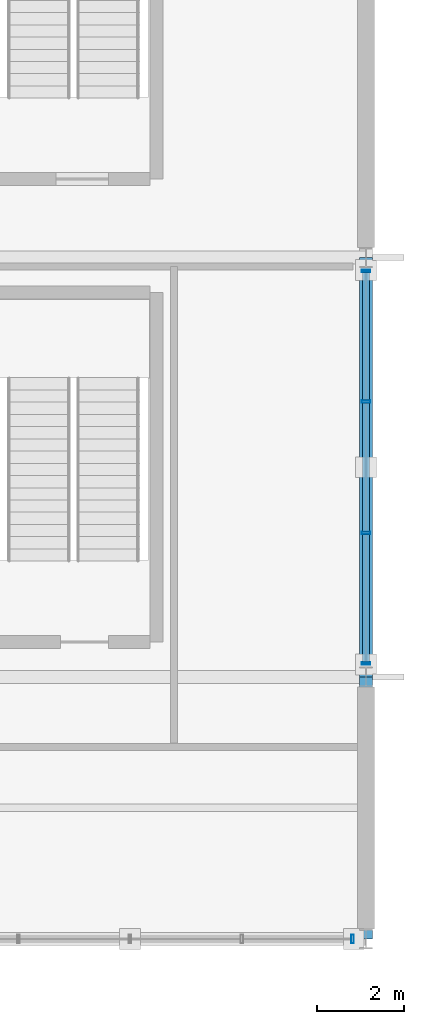
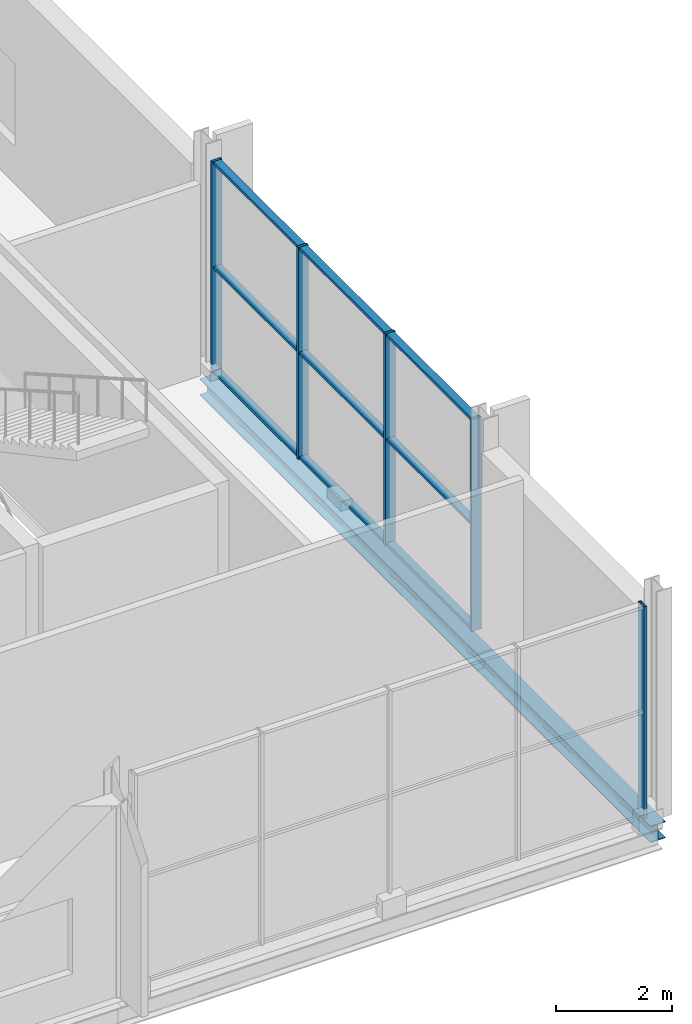
# One storey, part 116 of 159: 14 members, 2 beams, 2 elements without a shape of their own.
"""IFC4 building model written with IfcOpenShell, lengths in metres."""

from ifc_helpers import new_model, si_unit, direction, frame, origin, origin_2d, place, context, subcontext, project, spatial, hollow_rectangle, i_section, extrude, material, material_profile, profile_set, type_object, element, aggregate, save


model = new_model("IFC4")

# Units and contexts
model_context = context("Model", 3, precision=1e-05, world=origin(), true_north=direction((0.0, 1.0)))
body_context = subcontext(model_context, "Body", "Model", "MODEL_VIEW")
ifc_project = project(units=[si_unit("LENGTHUNIT", "METRE"), si_unit("AREAUNIT", "SQUARE_METRE"), si_unit("VOLUMEUNIT", "CUBIC_METRE"), si_unit("PLANEANGLEUNIT", "RADIAN"), si_unit("MASSUNIT", "GRAM", prefix="KILO")], contexts=[model_context])

# Site, building, storey
site_placement = place(None, origin())
site = spatial("IfcSite", under=ifc_project, at=site_placement, CompositionType="ELEMENT")
building_placement = place(site_placement, origin())
building = spatial("IfcBuilding", under=site, at=building_placement, Name="Merenkruunu Market Hall", CompositionType="ELEMENT")
storey_placement = place(building_placement, frame((0.0, 0.0, 5.39990234375)))
storey = spatial("IfcBuildingStorey", under=building, at=storey_placement, Name="L01", CompositionType="ELEMENT", Elevation=5.39990234375)

# Curtain wall, member
ifc_material_1 = material(Name="Powder-coated aluminium", Category="aluminium")
curtain_wall_type = type_object("IfcCurtainWallType", Name="Glazed Curtain Wall CW07", PredefinedType="USERDEFINED", material=ifc_material_1)
curtain_wall_1_placement = place(storey_placement, origin())
curtain_wall_1 = element("IfcCurtainWall", 1, at=curtain_wall_1_placement, inside=storey, type_object=curtain_wall_type, Name="CW-L01-CWM03-208", ObjectType="GLAZED_FACADE", PredefinedType="USERDEFINED")
ifc_material_profile_1 = material_profile(ifc_material_1, hollow_rectangle(XDim=0.06005859375, YDim=0.199951171875, WallThickness=0.0048828125, at=origin_2d()), Name="ALU 60x200x5")
ifc_profile_set_1 = profile_set([ifc_material_profile_1], Name="Powder-coated aluminium")
member_type_1 = type_object("IfcMemberType", Name="Curtain Wall Mullion CWM03", PredefinedType="MULLION", material=ifc_profile_set_1)
member_1_placement = place(storey_placement, frame((191.68994140625, 0.0, 0.0), z_axis=(0.0, 0.0, 1.0), x_axis=(-1.0, 0.0, 0.0)))
member_1 = element("IfcMember", 2, at=member_1_placement, type_object=member_type_1, Name="CW07 mullion 1", PredefinedType="MULLION", context=body_context, shape_type="SweptSolid", body=[
    extrude(hollow_rectangle(XDim=0.06005859375, YDim=0.199951171875, WallThickness=0.0048828125, at=origin_2d()), origin(), (0.0, 0.0, 1.0), 4.47998046875),
])
aggregate(curtain_wall_1, [member_1])

# Curtain wall, members
curtain_wall_2_placement = place(storey_placement, origin())
curtain_wall_2 = element("IfcCurtainWall", 3, at=curtain_wall_2_placement, inside=storey, type_object=curtain_wall_type, Name="CW-L01-CWM03-209", ObjectType="GLAZED_FACADE", PredefinedType="USERDEFINED")
member_2_placement = place(storey_placement, frame((192.0, 15.2900390625, 0.0), z_axis=(0.0, 0.0, 1.0), x_axis=(0.0, -1.0, 0.0)))
member_2 = element("IfcMember", 4, at=member_2_placement, type_object=member_type_1, Name="CW07 mullion 1", PredefinedType="MULLION", context=body_context, shape_type="SweptSolid", body=[
    extrude(hollow_rectangle(XDim=0.06005859375, YDim=0.199951171875, WallThickness=0.0048828125, at=origin_2d()), origin(), (0.0, 0.0, 1.0), 4.47998046875),
])
member_3_placement = place(storey_placement, frame((192.0, 12.306640625, 0.0), z_axis=(0.0, 0.0, 1.0), x_axis=(0.0, -1.0, 0.0)))
member_3 = element("IfcMember", 5, at=member_3_placement, type_object=member_type_1, Name="CW07 mullion 2", PredefinedType="MULLION", context=body_context, shape_type="SweptSolid", body=[
    extrude(hollow_rectangle(XDim=0.06005859375, YDim=0.199951171875, WallThickness=0.0048828125, at=origin_2d()), origin(), (0.0, 0.0, 1.0), 4.47998046875),
])
member_4_placement = place(storey_placement, frame((192.0, 9.293212890625, 0.0), z_axis=(0.0, 0.0, 1.0), x_axis=(0.0, -1.0, 0.0)))
member_4 = element("IfcMember", 6, at=member_4_placement, type_object=member_type_1, Name="CW07 mullion 3", PredefinedType="MULLION", context=body_context, shape_type="SweptSolid", body=[
    extrude(hollow_rectangle(XDim=0.06005859375, YDim=0.199951171875, WallThickness=0.0048828125, at=origin_2d()), origin(), (0.0, 0.0, 1.0), 4.47998046875),
])
member_5_placement = place(storey_placement, frame((192.0, 6.31005859375, 0.0), z_axis=(0.0, 0.0, 1.0), x_axis=(0.0, -1.0, 0.0)))
member_5 = element("IfcMember", 7, at=member_5_placement, type_object=member_type_1, Name="CW07 mullion 4", PredefinedType="MULLION", context=body_context, shape_type="SweptSolid", body=[
    extrude(hollow_rectangle(XDim=0.06005859375, YDim=0.199951171875, WallThickness=0.0048828125, at=origin_2d()), origin(), (0.0, 0.0, 1.0), 4.47998046875),
])
ifc_material_profile_2 = material_profile(ifc_material_1, hollow_rectangle(XDim=0.06005859375, YDim=0.14990234375, WallThickness=0.00390625, at=origin_2d()), Name="ALU 60x150x4")
ifc_profile_set_2 = profile_set([ifc_material_profile_2], Name="Powder-coated aluminium")
member_type_2 = type_object("IfcMemberType", Name="Curtain Wall Transom CWT04", PredefinedType="USERDEFINED", material=ifc_profile_set_2)
member_6_placement = place(storey_placement, frame((192.0, 15.260009765625, 0.030029296875), z_axis=(0.0, -1.0, 0.0), x_axis=(0.0, 0.0, 1.0)))
member_6 = element("IfcMember", 8, at=member_6_placement, type_object=member_type_2, Name="CW07 transom 1.1", ObjectType="TRANSOM", PredefinedType="USERDEFINED", context=body_context, shape_type="SweptSolid", body=[
    extrude(hollow_rectangle(XDim=0.06005859375, YDim=0.14990234375, WallThickness=0.00390625, at=origin_2d()), origin(), (0.0, 0.0, 1.0), 2.92333984375),
])
member_7_placement = place(storey_placement, frame((192.0, 15.260009765625, 2.239990234375), z_axis=(0.0, -1.0, 0.0), x_axis=(0.0, 0.0, 1.0)))
member_7 = element("IfcMember", 9, at=member_7_placement, type_object=member_type_2, Name="CW07 transom 1.2", ObjectType="TRANSOM", PredefinedType="USERDEFINED", context=body_context, shape_type="SweptSolid", body=[
    extrude(hollow_rectangle(XDim=0.06005859375, YDim=0.14990234375, WallThickness=0.00390625, at=origin_2d()), origin(), (0.0, 0.0, 1.0), 2.92333984375),
])
member_8_placement = place(storey_placement, frame((192.0, 15.260009765625, 4.4501953125), z_axis=(0.0, -1.0, 0.0), x_axis=(0.0, 0.0, 1.0)))
member_8 = element("IfcMember", 10, at=member_8_placement, type_object=member_type_2, Name="CW07 transom 1.3", ObjectType="TRANSOM", PredefinedType="USERDEFINED", context=body_context, shape_type="SweptSolid", body=[
    extrude(hollow_rectangle(XDim=0.06005859375, YDim=0.14990234375, WallThickness=0.00390625, at=origin_2d()), origin(), (0.0, 0.0, 1.0), 2.92333984375),
])
member_9_placement = place(storey_placement, frame((192.0, 12.276611328125, 0.030029296875), z_axis=(0.0, -1.0, 0.0), x_axis=(0.0, 0.0, 1.0)))
member_9 = element("IfcMember", 11, at=member_9_placement, type_object=member_type_2, Name="CW07 transom 2.1", ObjectType="TRANSOM", PredefinedType="USERDEFINED", context=body_context, shape_type="SweptSolid", body=[
    extrude(hollow_rectangle(XDim=0.06005859375, YDim=0.14990234375, WallThickness=0.00390625, at=origin_2d()), origin(), (0.0, 0.0, 1.0), 2.953369140625),
])
member_10_placement = place(storey_placement, frame((192.0, 12.276611328125, 2.239990234375), z_axis=(0.0, -1.0, 0.0), x_axis=(0.0, 0.0, 1.0)))
member_10 = element("IfcMember", 12, at=member_10_placement, type_object=member_type_2, Name="CW07 transom 2.2", ObjectType="TRANSOM", PredefinedType="USERDEFINED", context=body_context, shape_type="SweptSolid", body=[
    extrude(hollow_rectangle(XDim=0.06005859375, YDim=0.14990234375, WallThickness=0.00390625, at=origin_2d()), origin(), (0.0, 0.0, 1.0), 2.953369140625),
])
member_11_placement = place(storey_placement, frame((192.0, 12.276611328125, 4.4501953125), z_axis=(0.0, -1.0, 0.0), x_axis=(0.0, 0.0, 1.0)))
member_11 = element("IfcMember", 13, at=member_11_placement, type_object=member_type_2, Name="CW07 transom 2.3", ObjectType="TRANSOM", PredefinedType="USERDEFINED", context=body_context, shape_type="SweptSolid", body=[
    extrude(hollow_rectangle(XDim=0.06005859375, YDim=0.14990234375, WallThickness=0.00390625, at=origin_2d()), origin(), (0.0, 0.0, 1.0), 2.953369140625),
])
member_12_placement = place(storey_placement, frame((192.0, 9.263427734375, 0.030029296875), z_axis=(0.0, -1.0, 0.0), x_axis=(0.0, 0.0, 1.0)))
member_12 = element("IfcMember", 14, at=member_12_placement, type_object=member_type_2, Name="CW07 transom 3.1", ObjectType="TRANSOM", PredefinedType="USERDEFINED", context=body_context, shape_type="SweptSolid", body=[
    extrude(hollow_rectangle(XDim=0.06005859375, YDim=0.14990234375, WallThickness=0.00390625, at=origin_2d()), origin(), (0.0, 0.0, 1.0), 2.92333984375),
])
member_13_placement = place(storey_placement, frame((192.0, 9.263427734375, 2.239990234375), z_axis=(0.0, -1.0, 0.0), x_axis=(0.0, 0.0, 1.0)))
member_13 = element("IfcMember", 15, at=member_13_placement, type_object=member_type_2, Name="CW07 transom 3.2", ObjectType="TRANSOM", PredefinedType="USERDEFINED", context=body_context, shape_type="SweptSolid", body=[
    extrude(hollow_rectangle(XDim=0.06005859375, YDim=0.14990234375, WallThickness=0.00390625, at=origin_2d()), origin(), (0.0, 0.0, 1.0), 2.92333984375),
])
member_14_placement = place(storey_placement, frame((192.0, 9.263427734375, 4.4501953125), z_axis=(0.0, -1.0, 0.0), x_axis=(0.0, 0.0, 1.0)))
member_14 = element("IfcMember", 16, at=member_14_placement, type_object=member_type_2, Name="CW07 transom 3.3", ObjectType="TRANSOM", PredefinedType="USERDEFINED", context=body_context, shape_type="SweptSolid", body=[
    extrude(hollow_rectangle(XDim=0.06005859375, YDim=0.14990234375, WallThickness=0.00390625, at=origin_2d()), origin(), (0.0, 0.0, 1.0), 2.92333984375),
])
aggregate(curtain_wall_2, [member_2, member_3, member_4, member_5, member_6, member_7, member_8, member_9, member_10, member_11, member_12, member_13, member_14])

# Beams
ifc_material_2 = material(Name="Steel S355J2", Category="steel")
ifc_material_profile_3 = material_profile(ifc_material_2, i_section(OverallWidth=0.300048828125, OverallDepth=0.35009765625, WebThickness=0.010009765625, FlangeThickness=0.017578125, FilletRadius=0.027099609375, at=origin_2d()), Name="HEA 360")
ifc_profile_set_3 = profile_set([ifc_material_profile_3], Name="Steel S355J2")
beam_type = type_object("IfcBeamType", Name="Primary Floor Girder B08", PredefinedType="BEAM", material=ifc_profile_set_3)
beam_1_placement = place(storey_placement, frame((192.0, 0.0, -0.454833984375), z_axis=(0.0, 1.0, 0.0), x_axis=(-1.0, 0.0, 0.0)))
element("IfcBeam", 17, at=beam_1_placement, inside=storey, type_object=beam_type, Name="BM-L01-B08-0643", PredefinedType="BEAM", context=body_context, shape_type="SweptSolid", body=[
    extrude(i_section(OverallWidth=0.300048828125, OverallDepth=0.35009765625, WebThickness=0.010009765625, FlangeThickness=0.017578125, FilletRadius=0.027099609375, at=origin_2d()), origin(), (0.0, 0.0, 1.0), 6.0),
])
beam_2_placement = place(storey_placement, frame((192.0, 6.0, -0.454833984375), z_axis=(0.0, 1.0, 0.0), x_axis=(-1.0, 0.0, 0.0)))
element("IfcBeam", 18, at=beam_2_placement, inside=storey, type_object=beam_type, Name="BM-L01-B08-0644", PredefinedType="BEAM", context=body_context, shape_type="SweptSolid", body=[
    extrude(i_section(OverallWidth=0.300048828125, OverallDepth=0.35009765625, WebThickness=0.010009765625, FlangeThickness=0.017578125, FilletRadius=0.027099609375, at=origin_2d()), origin(), (0.0, 0.0, 1.0), 9.60009765625),
])

save(model, "model.ifc")
